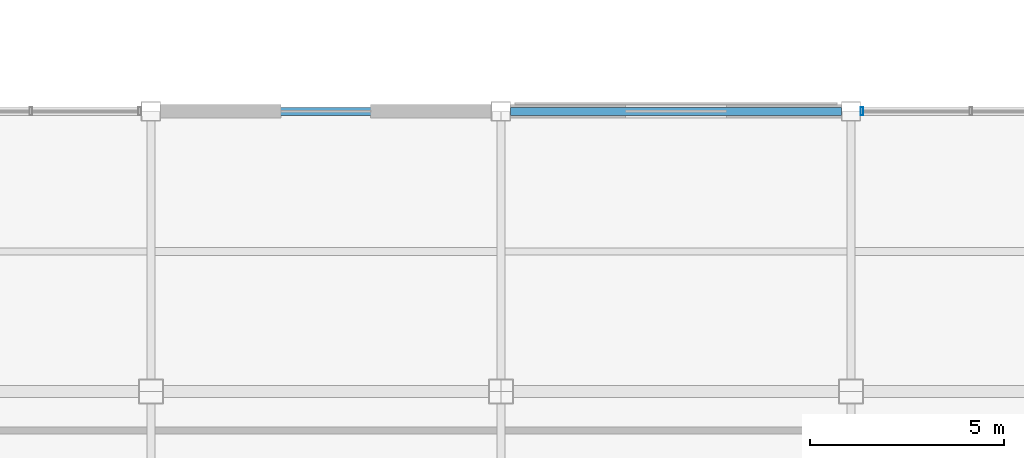
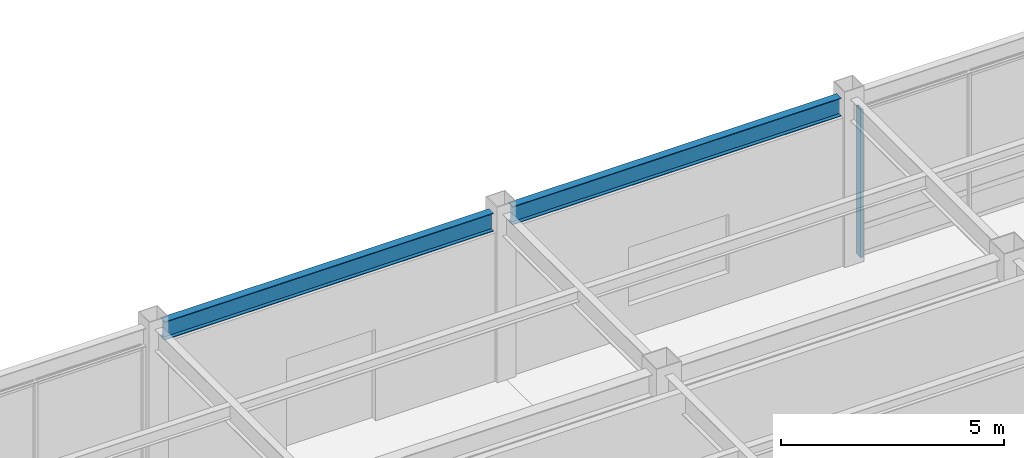
# One storey, part 72 of 112: 2 beams, 1 member, 1 element without a shape of its own.
"""IFC4 building model written with IfcOpenShell, lengths in metres."""

from ifc_helpers import new_model, si_unit, direction, frame, origin, origin_2d, place, context, subcontext, project, spatial, hollow_rectangle, i_section, extrude, material, material_profile, profile_set, type_object, element, aggregate, save


model = new_model("IFC4")

# Units and contexts
model_context = context("Model", 3, precision=1e-05, world=origin(), true_north=direction((0.0, 1.0)))
body_context = subcontext(model_context, "Body", "Model", "MODEL_VIEW")
ifc_project = project(units=[si_unit("LENGTHUNIT", "METRE"), si_unit("AREAUNIT", "SQUARE_METRE"), si_unit("VOLUMEUNIT", "CUBIC_METRE"), si_unit("PLANEANGLEUNIT", "RADIAN"), si_unit("MASSUNIT", "GRAM", prefix="KILO")], contexts=[model_context])

# Site, building, storey
site_placement = place(None, origin())
site = spatial("IfcSite", under=ifc_project, at=site_placement, CompositionType="ELEMENT")
building_placement = place(site_placement, origin())
building = spatial("IfcBuilding", under=site, at=building_placement, Name="Kazanami Central Library", CompositionType="ELEMENT")
storey_placement = place(building_placement, origin())
storey = spatial("IfcBuildingStorey", under=building, at=storey_placement, Name="L01", CompositionType="ELEMENT", Elevation=0.0)

# Beams
ifc_material_1 = material(Name="Steel SN490B (325 MPa)", Category="steel")
ifc_material_profile_1 = material_profile(ifc_material_1, i_section(OverallWidth=0.199951171875, OverallDepth=0.5, WebThickness=0.010009765625, FlangeThickness=0.01611328125, at=origin_2d()), Name="H-500x200x10x16")
ifc_profile_set_1 = profile_set([ifc_material_profile_1], Name="Steel SN490B (325 MPa)")
beam_type = type_object("IfcBeamType", Name="BM-SP-1", PredefinedType="SPANDREL", material=ifc_profile_set_1)
for number, where, z_axis, x_axis, name in (
    (1, (81.248046875, 93.60009765625, 4.304931640625), (1.0, 0.0, 0.0), (0.0, 1.0, 0.0), "Girder SP-1 L01 O/10-11"),
    (2, (90.248046875, 93.60009765625, 4.304931640625), (1.0, 0.0, 0.0), (0.0, 1.0, 0.0), "Girder SP-1 L01 O/11-12"),
):
    element("IfcBeam", number, at=place(storey_placement, frame(where, z_axis=z_axis, x_axis=x_axis)), inside=storey, type_object=beam_type, Name=name, PredefinedType="SPANDREL", context=body_context, shape_type="SweptSolid", body=[
        extrude(i_section(OverallWidth=0.199951171875, OverallDepth=0.5, WebThickness=0.010009765625, FlangeThickness=0.01611328125, at=origin_2d()), origin(), (0.0, 0.0, 1.0), 8.50390625),
    ])

# Curtain wall, member
ifc_material_2 = material(Name="Acid-Etched Low-E Laminated Glass", Category="glass")
curtain_wall_type = type_object("IfcCurtainWallType", Name="CW-8500x4055-M275", PredefinedType="USERDEFINED", material=ifc_material_2)
curtain_wall_placement = place(storey_placement, origin())
curtain_wall = element("IfcCurtainWall", 3, at=curtain_wall_placement, inside=storey, type_object=curtain_wall_type, Name="Unitised Curtain Wall CW-07 L01 N-O-11", ObjectType="UNITISED CURTAIN WALL", PredefinedType="USERDEFINED")
ifc_material_3 = material(Name="Anodised Aluminium A6063-T5", Category="aluminium")
ifc_material_profile_2 = material_profile(ifc_material_3, hollow_rectangle(XDim=0.070068359375, YDim=0.2099609375, WallThickness=0.0048828125, at=origin_2d()), Name="ALU-MULL-70x210x5")
ifc_profile_set_2 = profile_set([ifc_material_profile_2], Name="Anodised Aluminium A6063-T5")
member_type = type_object("IfcMemberType", Name="MEM-CW-M1", PredefinedType="MULLION", material=ifc_profile_set_2)
member_placement = place(storey_placement, frame((99.284912109375, 93.60009765625, 0.0), z_axis=(0.0, 0.0, 1.0), x_axis=(-1.0, 0.0, 0.0)))
member = element("IfcMember", 4, at=member_placement, type_object=member_type, Name="CW-07 mullion 4", PredefinedType="MULLION", context=body_context, shape_type="SweptSolid", body=[
    extrude(hollow_rectangle(XDim=0.070068359375, YDim=0.2099609375, WallThickness=0.0048828125, at=origin_2d()), origin(), (0.0, 0.0, 1.0), 4.054931640625),
])
aggregate(curtain_wall, [member])

save(model, "model.ifc")
